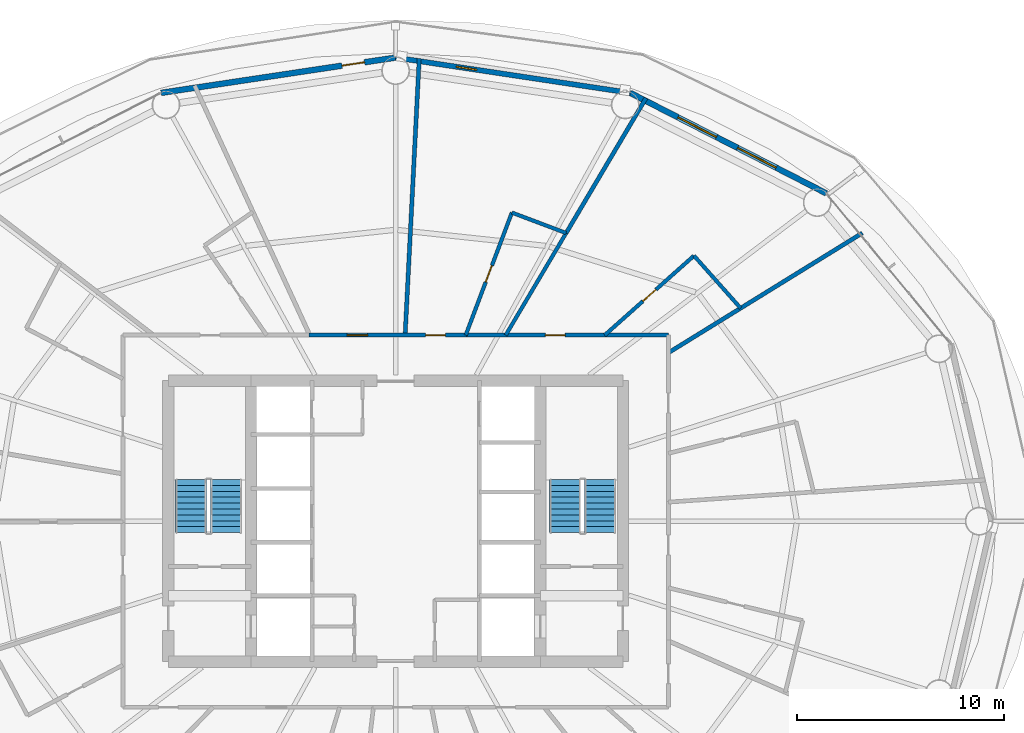
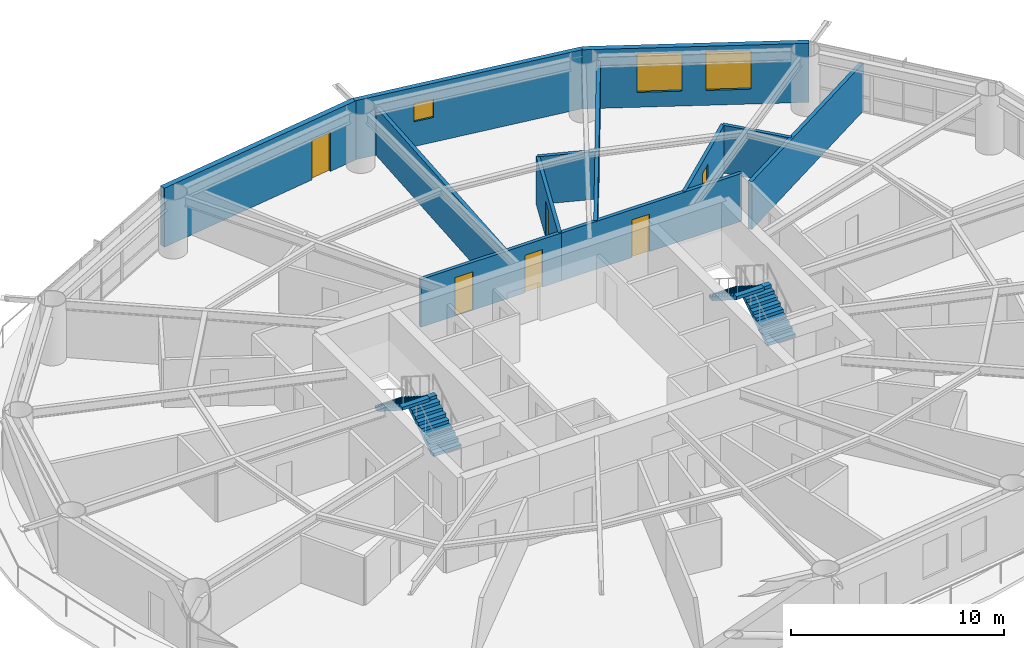
# One storey, part 21 of 24: 13 walls, 6 doors, 4 stair flights, 3 windows, 9 openings, 2 elements without a shape of their own.
"""IFC4 building model written with IfcOpenShell, lengths in metres."""

from ifc_helpers import new_model, si_unit, direction, frame, frame_2d, origin, place, context, subcontext, project, spatial, polyline, rectangle, outline, extrude, material, layer, layer_set, type_object, element, fill, aggregate, save


model = new_model("IFC4")

# Units and contexts
model_context = context("Model", 3, precision=1e-05, world=origin(), true_north=direction((0.0, 1.0)))
body_context = subcontext(model_context, "Body", "Model", "MODEL_VIEW")
ifc_project = project(units=[si_unit("LENGTHUNIT", "METRE"), si_unit("AREAUNIT", "SQUARE_METRE"), si_unit("VOLUMEUNIT", "CUBIC_METRE"), si_unit("PLANEANGLEUNIT", "RADIAN"), si_unit("MASSUNIT", "GRAM", prefix="KILO")], contexts=[model_context])

# Site, building, storey
site_placement = place(None, origin())
site = spatial("IfcSite", under=ifc_project, at=site_placement, CompositionType="ELEMENT")
building_placement = place(site_placement, origin())
building = spatial("IfcBuilding", under=site, at=building_placement, Name="Sarneth Arch Tower", CompositionType="ELEMENT")
storey_placement = place(building_placement, frame((0.0, 0.0, 87.60009765625)))
storey = spatial("IfcBuildingStorey", under=building, at=storey_placement, Name="L21", CompositionType="ELEMENT", Elevation=87.60009765625)

# Wall, opening, door
ifc_material_1 = material(Name="Double steel-stud corridor fire wall", Category="steel")
ifc_layer_1 = layer(ifc_material_1, 0.18994140625)
ifc_layer_set_1 = layer_set([ifc_layer_1], Name="Double steel-stud corridor fire wall")
wall_type_1 = type_object("IfcWallType", Name="WALL-CORR-190", PredefinedType="PARTITIONING", material=ifc_layer_set_1)
wall_1_placement = place(storey_placement, frame((51.35693359375, 51.0, 0.0), z_axis=(0.0, 0.0, 1.0), x_axis=(1.0, 0.0, 0.0)))
wall_1 = element("IfcWall", 1, at=wall_1_placement, inside=storey, type_object=wall_type_1, Name="L21 Interior partition W-L21-TP-003", PredefinedType="PARTITIONING", context=body_context, shape_type="SweptSolid", body=[
    extrude(rectangle(XDim=9.843017578125, YDim=0.18994140625, at=frame_2d((4.92138671875, 0.0))), origin(), (0.0, 0.0, 1.0), 2.739990234375),
])
opening_1_placement = place(wall_1_placement, frame((3.893798828125, 0.0, 0.0)))
opening_1 = element("IfcOpeningElement", 2, at=opening_1_placement, cuts=wall_1, Name="Opening FD-09", PredefinedType="OPENING", context=body_context, shape_type="SweptSolid", body=[
    extrude(rectangle(XDim=0.949951171875, YDim=2.14990234375, at=frame_2d((0.47509765625, 1.074951171875))), frame((0.0, 0.10498046875, 0.0), z_axis=(0.0, -1.0, 0.0), x_axis=(1.0, 0.0, 0.0)), (0.0, 0.0, 1.0), 0.2099609375),
])
ifc_material_2 = material(Name="Hardwood timber hotel entrance fire door", Category="wood")
door_type_1 = type_object("IfcDoorType", Name="DR-FD60-950", OperationType="SINGLE_SWING_RIGHT", PredefinedType="DOOR", material=ifc_material_2)
door_1_placement = place(opening_1_placement, origin())
door_1 = element("IfcDoor", 3, at=door_1_placement, inside=storey, type_object=door_type_1, Name="L21 Interior door DR-L21-KEY-02", OperationType="SINGLE_SWING_LEFT", OverallHeight=2.14990234375, OverallWidth=0.949951171875, PredefinedType="DOOR", context=body_context, shape_type="SweptSolid", body=[
    extrude(rectangle(XDim=0.949951171875, YDim=2.14990234375, at=frame_2d((0.47509765625, 1.074951171875))), frame((0.0, 0.02490234375, 0.0), z_axis=(0.0, -1.0, 0.0), x_axis=(1.0, 0.0, 0.0)), (0.0, 0.0, 1.0), 0.050048828125),
])
fill(opening_1, door_1)

# Wall, openings, doors
wall_2_placement = place(storey_placement, frame((43.81201171875, 51.0, 0.0), z_axis=(0.0, 0.0, 1.0), x_axis=(1.0, 0.0, 0.0)))
wall_2 = element("IfcWall", 4, at=wall_2_placement, inside=storey, type_object=wall_type_1, Name="L21 Interior partition W-L21-TP-008", PredefinedType="PARTITIONING", context=body_context, shape_type="SweptSolid", body=[
    extrude(rectangle(XDim=7.61328125, YDim=0.18994140625, at=frame_2d((3.806640625, 0.0))), origin(), (0.0, 0.0, 1.0), 2.739990234375),
])
opening_2_placement = place(wall_2_placement, frame((1.839599609375, 0.0, 0.0)))
opening_2 = element("IfcOpeningElement", 5, at=opening_2_placement, cuts=wall_2, Name="Opening FD-08", PredefinedType="OPENING", context=body_context, shape_type="SweptSolid", body=[
    extrude(rectangle(XDim=1.0, YDim=2.199951171875, at=frame_2d((0.5, 1.10009765625))), frame((0.0, 0.10498046875, 0.0), z_axis=(0.0, -1.0, 0.0), x_axis=(1.0, 0.0, 0.0)), (0.0, 0.0, 1.0), 0.2099609375),
])
opening_3_placement = place(wall_2_placement, frame((5.639404296875, 0.0, 0.0)))
opening_3 = element("IfcOpeningElement", 6, at=opening_3_placement, cuts=wall_2, Name="Opening FD-09", PredefinedType="OPENING", context=body_context, shape_type="SweptSolid", body=[
    extrude(rectangle(XDim=0.949951171875, YDim=2.14990234375, at=frame_2d((0.47509765625, 1.074951171875))), frame((0.0, 0.10498046875, 0.0), z_axis=(0.0, -1.0, 0.0), x_axis=(1.0, 0.0, 0.0)), (0.0, 0.0, 1.0), 0.2099609375),
])
ifc_material_3 = material(Name="Hardwood timber acoustic fire door", Category="wood")
door_type_2 = type_object("IfcDoorType", Name="DR-FD60-1000", OperationType="SINGLE_SWING_LEFT", PredefinedType="DOOR", material=ifc_material_3)
door_2_placement = place(opening_2_placement, origin())
door_2 = element("IfcDoor", 7, at=door_2_placement, inside=storey, type_object=door_type_2, Name="L21 Interior door DR-L21-AMN-04", OperationType="SINGLE_SWING_RIGHT", OverallHeight=2.199951171875, OverallWidth=1.0, PredefinedType="DOOR", context=body_context, shape_type="SweptSolid", body=[
    extrude(rectangle(XDim=1.0, YDim=2.199951171875, at=frame_2d((0.5, 1.10009765625))), frame((0.0, 0.02490234375, 0.0), z_axis=(0.0, -1.0, 0.0), x_axis=(1.0, 0.0, 0.0)), (0.0, 0.0, 1.0), 0.050048828125),
])
fill(opening_2, door_2)
door_3_placement = place(opening_3_placement, origin())
door_3 = element("IfcDoor", 8, at=door_3_placement, inside=storey, type_object=door_type_1, Name="L21 Interior door DR-L21-KEY-03", OperationType="SINGLE_SWING_RIGHT", OverallHeight=2.14990234375, OverallWidth=0.949951171875, PredefinedType="DOOR", context=body_context, shape_type="SweptSolid", body=[
    extrude(rectangle(XDim=0.949951171875, YDim=2.14990234375, at=frame_2d((0.47509765625, 1.074951171875))), frame((0.0, 0.02490234375, 0.0), z_axis=(0.0, -1.0, 0.0), x_axis=(1.0, 0.0, 0.0)), (0.0, 0.0, 1.0), 0.050048828125),
])
fill(opening_3, door_3)

# Wall, opening, window
ifc_material_4 = material(Name="Extruded terracotta rainscreen on Concrete C40/50 backing", Category="masonry")
ifc_layer_2 = layer(ifc_material_4, 0.25)
ifc_layer_set_2 = layer_set([ifc_layer_2], Name="Extruded terracotta rainscreen on Concrete C40/50 backing")
wall_type_2 = type_object("IfcWallType", Name="WALL-EXT-SPAND-250", PredefinedType="SOLIDWALL", material=ifc_layer_set_2)
wall_3_placement = place(storey_placement, frame((59.351318359375, 62.72265625, 0.0), z_axis=(0.0, 0.0, 1.0), x_axis=(-0.988877774656, 0.148730450117, 0.0)))
wall_3 = element("IfcWall", 9, at=wall_3_placement, inside=storey, type_object=wall_type_2, Name="L21 Terracotta perimeter wall 04", PredefinedType="SOLIDWALL", context=body_context, shape_type="SweptSolid", body=[
    extrude(rectangle(XDim=11.47900390625, YDim=0.25, at=frame_2d((5.739501953125, 0.0))), origin(), (0.0, 0.0, 1.0), 3.3798828125),
])
opening_4_placement = place(wall_3_placement, frame((7.507568359375, 0.0, 1.419921875)))
opening_4 = element("IfcOpeningElement", 10, at=opening_4_placement, cuts=wall_3, Name="Opening W-14", PredefinedType="OPENING", context=body_context, shape_type="SweptSolid", body=[
    extrude(rectangle(XDim=1.0, YDim=1.050048828125, at=frame_2d((0.5, 0.52490234375))), frame((0.0, 0.135009765625, 0.0), z_axis=(0.0, -1.0, 0.0), x_axis=(1.0, 0.0, 0.0)), (0.0, 0.0, 1.0), 0.27001953125),
])
ifc_material_5 = material(Name="Thermally broken Aluminium 6063-T6 and low-e laminated IGU", Category="aluminium")
window_type_1 = type_object("IfcWindowType", Name="WIN-TWR-1000x1050", PartitioningType="SINGLE_PANEL", PredefinedType="WINDOW", material=ifc_material_5)
window_1_placement = place(opening_4_placement, origin())
window_1 = element("IfcWindow", 11, at=window_1_placement, inside=storey, type_object=window_type_1, Name="L21 Dwelling bedroom window 01", OverallHeight=1.050048828125, OverallWidth=1.0, PartitioningType="SINGLE_PANEL", PredefinedType="WINDOW", context=body_context, shape_type="SweptSolid", body=[
    extrude(rectangle(XDim=1.0, YDim=1.050048828125, at=frame_2d((0.5, 0.52490234375))), frame((0.0, 0.030029296875, 0.0), z_axis=(0.0, -1.0, 0.0), x_axis=(1.0, 0.0, 0.0)), (0.0, 0.0, 1.0), 0.06005859375),
])
fill(opening_4, window_1)

# Wall, openings, windows
ifc_material_6 = material(Name="Extruded terracotta rainscreen on Concrete C40/50 backing", Category="masonry")
ifc_layer_3 = layer(ifc_material_6, 0.280029296875)
ifc_layer_set_3 = layer_set([ifc_layer_3], Name="Extruded terracotta rainscreen on Concrete C40/50 backing")
wall_type_3 = type_object("IfcWallType", Name="WALL-EXT-TERRA-280", PredefinedType="SOLIDWALL", material=ifc_layer_set_3)
wall_4_placement = place(storey_placement, frame((68.840087890625, 57.8603515625, 0.0), z_axis=(0.0, 0.0, 1.0), x_axis=(-0.889959505023, 0.45603955905, 0.0)))
wall_4 = element("IfcWall", 12, at=wall_4_placement, inside=storey, type_object=wall_type_3, Name="L21 Terracotta perimeter wall 03", PredefinedType="SOLIDWALL", context=body_context, shape_type="SweptSolid", body=[
    extrude(rectangle(XDim=10.662109375, YDim=0.280029296875, at=frame_2d((5.3310546875, 0.0))), origin(), (0.0, 0.0, 1.0), 3.3798828125),
])
opening_5_placement = place(wall_4_placement, frame((2.730712890625, 0.0, 0.85009765625)))
opening_5 = element("IfcOpeningElement", 13, at=opening_5_placement, cuts=wall_4, Name="Opening W-03", PredefinedType="OPENING", context=body_context, shape_type="SweptSolid", body=[
    extrude(rectangle(XDim=2.10009765625, YDim=2.199951171875, at=frame_2d((1.050048828125, 1.10009765625))), frame((0.0, 0.14990234375, 0.0), z_axis=(0.0, -1.0, 0.0), x_axis=(1.0, 0.0, 0.0)), (0.0, 0.0, 1.0), 0.300048828125),
])
opening_6_placement = place(wall_4_placement, frame((5.970703125, 0.0, 0.85009765625)))
opening_6 = element("IfcOpeningElement", 14, at=opening_6_placement, cuts=wall_4, Name="Opening W-03", PredefinedType="OPENING", context=body_context, shape_type="SweptSolid", body=[
    extrude(rectangle(XDim=2.10009765625, YDim=2.199951171875, at=frame_2d((1.050048828125, 1.10009765625))), frame((0.0, 0.14990234375, 0.0), z_axis=(0.0, -1.0, 0.0), x_axis=(1.0, 0.0, 0.0)), (0.0, 0.0, 1.0), 0.300048828125),
])
ifc_material_7 = material(Name="Thermally broken Aluminium 6063-T6 and low-e laminated IGU", Category="aluminium")
window_type_2 = type_object("IfcWindowType", Name="WIN-TWR-2100x2200", PartitioningType="DOUBLE_PANEL_VERTICAL", PredefinedType="WINDOW", material=ifc_material_7)
window_2_placement = place(opening_5_placement, origin())
window_2 = element("IfcWindow", 15, at=window_2_placement, inside=storey, type_object=window_type_2, Name="L21 Exterior window 03A", OverallHeight=2.199951171875, OverallWidth=2.10009765625, PartitioningType="SINGLE_PANEL", PredefinedType="WINDOW", context=body_context, shape_type="SweptSolid", body=[
    extrude(rectangle(XDim=2.10009765625, YDim=2.199951171875, at=frame_2d((1.050048828125, 1.10009765625))), frame((0.0, 0.030029296875, 0.0), z_axis=(0.0, -1.0, 0.0), x_axis=(1.0, 0.0, 0.0)), (0.0, 0.0, 1.0), 0.06005859375),
])
fill(opening_5, window_2)
window_3_placement = place(opening_6_placement, origin())
window_3 = element("IfcWindow", 16, at=window_3_placement, inside=storey, type_object=window_type_2, Name="L21 Exterior window 03B", OverallHeight=2.199951171875, OverallWidth=2.10009765625, PartitioningType="SINGLE_PANEL", PredefinedType="WINDOW", context=body_context, shape_type="SweptSolid", body=[
    extrude(rectangle(XDim=2.10009765625, YDim=2.199951171875, at=frame_2d((1.050048828125, 1.10009765625))), frame((0.0, 0.030029296875, 0.0), z_axis=(0.0, -1.0, 0.0), x_axis=(1.0, 0.0, 0.0)), (0.0, 0.0, 1.0), 0.06005859375),
])
fill(opening_6, window_3)

# Wall, opening, door
wall_5_placement = place(storey_placement, frame((48.0, 64.429931640625, 0.0), z_axis=(0.0, 0.0, 1.0), x_axis=(-0.988877774656, -0.148730450117, 0.0)))
wall_5 = element("IfcWall", 17, at=wall_5_placement, inside=storey, type_object=wall_type_3, Name="L21 Terracotta perimeter wall 05", PredefinedType="SOLIDWALL", context=body_context, shape_type="SweptSolid", body=[
    extrude(rectangle(XDim=11.47900390625, YDim=0.280029296875, at=frame_2d((5.739501953125, 0.0))), origin(), (0.0, 0.0, 1.0), 3.3798828125),
])
opening_7_placement = place(wall_5_placement, frame((1.523681640625, 0.0, 0.0)))
opening_7 = element("IfcOpeningElement", 18, at=opening_7_placement, cuts=wall_5, Name="Opening BD-3", PredefinedType="OPENING", context=body_context, shape_type="SweptSolid", body=[
    extrude(rectangle(XDim=1.10009765625, YDim=2.25, at=frame_2d((0.550048828125, 1.125))), frame((0.0, 0.14990234375, 0.0), z_axis=(0.0, -1.0, 0.0), x_axis=(1.0, 0.0, 0.0)), (0.0, 0.0, 1.0), 0.300048828125),
])
ifc_material_8 = material(Name="Thermally broken Aluminium 6063-T6 and laminated safety glass", Category="aluminium")
door_type_3 = type_object("IfcDoorType", Name="DR-BALC-GLZ-1100", OperationType="SINGLE_SWING_LEFT", PredefinedType="DOOR", material=ifc_material_8)
door_4_placement = place(opening_7_placement, origin())
door_4 = element("IfcDoor", 19, at=door_4_placement, inside=storey, type_object=door_type_3, Name="L21 Balcony glazed door 05", OperationType="SINGLE_SWING_LEFT", OverallHeight=2.25, OverallWidth=1.10009765625, PredefinedType="DOOR", context=body_context, shape_type="SweptSolid", body=[
    extrude(rectangle(XDim=1.10009765625, YDim=2.25, at=frame_2d((0.550048828125, 1.125))), frame((0.0, 0.02490234375, 0.0), z_axis=(0.0, -1.0, 0.0), x_axis=(1.0, 0.0, 0.0)), (0.0, 0.0, 1.0), 0.050048828125),
])
fill(opening_7, door_4)

ifc_material_9 = material(Name="Moisture-resistant plumbing chase wall", Category="gypsum")
ifc_layer_4 = layer(ifc_material_9, 0.179931640625)
ifc_layer_set_4 = layer_set([ifc_layer_4], Name="Moisture-resistant plumbing chase wall")
wall_type_4 = type_object("IfcWallType", Name="WALL-PLUMB-180", PredefinedType="PLUMBINGWALL", material=ifc_layer_set_4)
wall_6_placement = place(storey_placement, frame((51.39111328125, 51.0, 0.0), z_axis=(0.0, 0.0, 1.0), x_axis=(0.352583810303, 0.935780239539, 0.0)))
wall_6 = element("IfcWall", 20, at=wall_6_placement, inside=storey, type_object=wall_type_4, Name="L21 Interior partition W-L21-TP-039", PredefinedType="PLUMBINGWALL", context=body_context, shape_type="SweptSolid", body=[
    extrude(rectangle(XDim=6.337158203125, YDim=0.179931640625, at=frame_2d((3.16845703125, 0.0))), origin(), (0.0, 0.0, 1.0), 2.739990234375),
])
opening_8_placement = place(wall_6_placement, frame((2.74365234375, 0.0, 0.0)))
opening_8 = element("IfcOpeningElement", 21, at=opening_8_placement, cuts=wall_6, Name="Opening ID-02", PredefinedType="OPENING", context=body_context, shape_type="SweptSolid", body=[
    extrude(rectangle(XDim=0.85009765625, YDim=2.10009765625, at=frame_2d((0.425048828125, 1.050048828125))), frame((0.0, 0.099853515625, 0.0), z_axis=(0.0, -1.0, 0.0), x_axis=(1.0, 0.0, 0.0)), (0.0, 0.0, 1.0), 0.199951171875),
])
ifc_material_10 = material(Name="Moisture-resistant bathroom timber door", Category="wood")
door_type_4 = type_object("IfcDoorType", Name="DR-INT-850", OperationType="SINGLE_SWING_RIGHT", PredefinedType="DOOR", material=ifc_material_10)
door_5_placement = place(opening_8_placement, origin())
door_5 = element("IfcDoor", 22, at=door_5_placement, inside=storey, type_object=door_type_4, Name="L21 Interior door DR-L21-ENS-03", OperationType="SINGLE_SWING_LEFT", OverallHeight=2.10009765625, OverallWidth=0.85009765625, PredefinedType="DOOR", context=body_context, shape_type="SweptSolid", body=[
    extrude(rectangle(XDim=0.85009765625, YDim=2.10009765625, at=frame_2d((0.425048828125, 1.050048828125))), frame((0.0, 0.02490234375, 0.0), z_axis=(0.0, -1.0, 0.0), x_axis=(1.0, 0.0, 0.0)), (0.0, 0.0, 1.0), 0.050048828125),
])
fill(opening_8, door_5)

wall_7_placement = place(storey_placement, frame((62.435791015625, 54.844482421875, 0.0), z_axis=(0.0, 0.0, 1.0), x_axis=(-0.747085499985, -0.664727956168, 0.0)))
wall_7 = element("IfcWall", 23, at=wall_7_placement, inside=storey, type_object=wall_type_4, Name="L21 Interior partition W-L21-TP-036", PredefinedType="PLUMBINGWALL", context=body_context, shape_type="SweptSolid", body=[
    extrude(rectangle(XDim=5.783447265625, YDim=0.179931640625, at=frame_2d((2.8916015625, 0.0))), origin(), (0.0, 0.0, 1.0), 2.739990234375),
])
opening_9_placement = place(wall_7_placement, frame((2.466796875, 0.0, 0.0)))
opening_9 = element("IfcOpeningElement", 24, at=opening_9_placement, cuts=wall_7, Name="Opening ID-02", PredefinedType="OPENING", context=body_context, shape_type="SweptSolid", body=[
    extrude(rectangle(XDim=0.85009765625, YDim=2.10009765625, at=frame_2d((0.425048828125, 1.050048828125))), frame((0.0, 0.099853515625, 0.0), z_axis=(0.0, -1.0, 0.0), x_axis=(1.0, 0.0, 0.0)), (0.0, 0.0, 1.0), 0.199951171875),
])
door_6_placement = place(opening_9_placement, origin())
door_6 = element("IfcDoor", 25, at=door_6_placement, inside=storey, type_object=door_type_4, Name="L21 Interior door DR-L21-ENS-02", OperationType="SINGLE_SWING_LEFT", OverallHeight=2.10009765625, OverallWidth=0.85009765625, PredefinedType="DOOR", context=body_context, shape_type="SweptSolid", body=[
    extrude(rectangle(XDim=0.85009765625, YDim=2.10009765625, at=frame_2d((0.425048828125, 1.050048828125))), frame((0.0, 0.02490234375, 0.0), z_axis=(0.0, -1.0, 0.0), x_axis=(1.0, 0.0, 0.0)), (0.0, 0.0, 1.0), 0.050048828125),
])
fill(opening_9, door_6)

# Walls
wall_8_placement = place(storey_placement, frame((56.25, 55.94140625, 0.0), z_axis=(0.0, 0.0, 1.0), x_axis=(-0.509296473297, -0.860591135376, 0.0)))
element("IfcWall", 26, at=wall_8_placement, inside=storey, type_object=wall_type_4, Name="L21 Interior partition W-L21-TP-038", PredefinedType="PLUMBINGWALL", context=body_context, shape_type="SweptSolid", body=[
    extrude(rectangle(XDim=5.741943359375, YDim=0.179931640625, at=frame_2d((2.87109375, 0.0))), origin(), (0.0, 0.0, 1.0), 2.739990234375),
])
wall_9_placement = place(storey_placement, frame((64.693603515625, 52.306884765625, 0.0), z_axis=(0.0, 0.0, 1.0), x_axis=(-0.664720670732, 0.747091982222, 0.0)))
element("IfcWall", 27, at=wall_9_placement, inside=storey, type_object=wall_type_4, Name="L21 Interior partition W-L21-TP-035", PredefinedType="PLUMBINGWALL", context=body_context, shape_type="SweptSolid", body=[
    extrude(rectangle(XDim=3.396728515625, YDim=0.179931640625, at=frame_2d((1.6982421875, 0.0))), origin(), (0.0, 0.0, 1.0), 2.739990234375),
])
wall_10_placement = place(storey_placement, frame((53.62548828125, 56.93017578125, 0.0), z_axis=(0.0, 0.0, 1.0), x_axis=(0.93579147225, -0.352553996522, 0.0)))
element("IfcWall", 28, at=wall_10_placement, inside=storey, type_object=wall_type_4, Name="L21 Interior partition W-L21-TP-040", PredefinedType="PLUMBINGWALL", context=body_context, shape_type="SweptSolid", body=[
    extrude(rectangle(XDim=2.8046875, YDim=0.179931640625, at=frame_2d((1.40234375, 0.0))), origin(), (0.0, 0.0, 1.0), 2.739990234375),
])
ifc_material_11 = material(Name="Double steel-stud acoustic drywall", Category="steel")
ifc_layer_5 = layer(ifc_material_11, 0.199951171875)
ifc_layer_set_5 = layer_set([ifc_layer_5], Name="Double steel-stud acoustic drywall")
wall_type_5 = type_object("IfcWallType", Name="WALL-UNIT-200", PredefinedType="PARTITIONING", material=ifc_layer_set_5)
wall_11_placement = place(storey_placement, frame((49.142578125, 64.37890625, 0.0), z_axis=(0.0, 0.0, 1.0), x_axis=(-0.050973793346, -0.998699991185, 0.0)))
element("IfcWall", 29, at=wall_11_placement, inside=storey, type_object=wall_type_5, Name="L21 Interior partition W-L21-TP-041", PredefinedType="PARTITIONING", context=body_context, shape_type="SweptSolid", body=[
    extrude(rectangle(XDim=13.396240234375, YDim=0.199951171875, at=frame_2d((6.6982421875, 0.0))), origin(), (0.0, 0.0, 1.0), 2.739990234375),
])
wall_12_placement = place(storey_placement, frame((60.11181640625, 62.467529296875, 0.0), z_axis=(0.0, 0.0, 1.0), x_axis=(-0.509263960295, -0.860610375689, 0.0)))
element("IfcWall", 30, at=wall_12_placement, inside=storey, type_object=wall_type_5, Name="L21 Interior partition W-L21-TP-037", PredefinedType="PARTITIONING", context=body_context, shape_type="SweptSolid", body=[
    extrude(rectangle(XDim=7.583251953125, YDim=0.199951171875, at=frame_2d((3.79150390625, 0.0))), origin(), (0.0, 0.0, 1.0), 2.739990234375),
])
wall_13_placement = place(storey_placement, frame((61.199951171875, 50.14990234375, 0.0), z_axis=(0.0, 0.0, 1.0), x_axis=(0.850874276333, 0.525369361377, 0.0)))
element("IfcWall", 31, at=wall_13_placement, inside=storey, type_object=wall_type_5, Name="L21 Interior partition W-L21-TP-031", PredefinedType="PARTITIONING", context=body_context, shape_type="SweptSolid", body=[
    extrude(rectangle(XDim=11.025634765625, YDim=0.199951171875, at=frame_2d((5.5126953125, 0.0))), origin(), (0.0, 0.0, 1.0), 2.739990234375),
])

# Stair, stair flights
ifc_material_12 = material(Name="Concrete C50/60", Category="concrete")
stair_type = type_object("IfcStairType", Name="STAIR-CORE-RC", PredefinedType="HALF_TURN_STAIR", material=ifc_material_12)
stair_1_placement = place(storey_placement, origin())
stair_1 = element("IfcStair", 32, at=stair_1_placement, inside=storey, type_object=stair_type, Name="L21 Core Exit Stair 1", PredefinedType="HALF_TURN_STAIR")
ifc_material_13 = material(Name="Concrete C50/60", Category="concrete")
stair_flight_type = type_object("IfcStairFlightType", Name="FLIGHT-RC-1500", PredefinedType="STRAIGHT", material=ifc_material_13)
stair_flight_1_placement = place(storey_placement, frame((39.800048828125, 41.449951171875, 0.0), z_axis=(0.0, 0.0, 1.0), x_axis=(0.0, 1.0, 0.0)))
stair_flight_1 = element("IfcStairFlight", 33, at=stair_flight_1_placement, type_object=stair_flight_type, Name="ST-1 flight 1", NumberOfRisers=10, NumberOfTreads=9, PredefinedType="STRAIGHT", RiserHeight=0.18, TreadLength=0.285, context=body_context, shape_type="SweptSolid", body=[
    extrude(outline(polyline([(0.0, 0.0), (0.0, 0.179931640625), (0.284912109375, 0.179931640625), (0.284912109375, 0.360107421875), (0.570068359375, 0.360107421875), (0.570068359375, 0.5400390625), (0.85498046875, 0.5400390625), (0.85498046875, 0.719970703125), (1.139892578125, 0.719970703125), (1.139892578125, 0.89990234375), (1.425048828125, 0.89990234375), (1.425048828125, 1.080078125), (1.7099609375, 1.080078125), (1.7099609375, 1.260009765625), (1.9951171875, 1.260009765625), (1.9951171875, 1.43994140625), (2.280029296875, 1.43994140625), (2.280029296875, 1.6201171875), (2.56494140625, 1.6201171875), (2.56494140625, 1.800048828125), (2.56494140625, 1.442626953125), (0.28076171875, 0.0), (0.0, 0.0)])), frame((0.0, 0.75, 0.0), z_axis=(0.0, -1.0, 0.0), x_axis=(1.0, 0.0, 0.0)), (0.0, 0.0, 1.0), 1.5),
])
stair_flight_2_placement = place(storey_placement, frame((38.10009765625, 44.014892578125, 1.7998046875), z_axis=(0.0, 0.0, 1.0), x_axis=(0.0, -1.0, 0.0)))
stair_flight_2 = element("IfcStairFlight", 34, at=stair_flight_2_placement, type_object=stair_flight_type, Name="ST-1 flight 2", NumberOfRisers=10, NumberOfTreads=9, PredefinedType="STRAIGHT", RiserHeight=0.18, TreadLength=0.285, context=body_context, shape_type="SweptSolid", body=[
    extrude(outline(polyline([(0.0, 0.0), (0.0, 0.179931640625), (0.284912109375, 0.179931640625), (0.284912109375, 0.360107421875), (0.570068359375, 0.360107421875), (0.570068359375, 0.5400390625), (0.85498046875, 0.5400390625), (0.85498046875, 0.719970703125), (1.139892578125, 0.719970703125), (1.139892578125, 0.89990234375), (1.425048828125, 0.89990234375), (1.425048828125, 1.080078125), (1.7099609375, 1.080078125), (1.7099609375, 1.260009765625), (1.9951171875, 1.260009765625), (1.9951171875, 1.43994140625), (2.280029296875, 1.43994140625), (2.280029296875, 1.6201171875), (2.56494140625, 1.6201171875), (2.56494140625, 1.800048828125), (2.56494140625, 1.442626953125), (0.28076171875, 0.0), (0.0, 0.0)])), frame((0.0, 0.75, 0.0), z_axis=(0.0, -1.0, 0.0), x_axis=(1.0, 0.0, 0.0)), (0.0, 0.0, 1.0), 1.5),
])
aggregate(stair_1, [stair_flight_1, stair_flight_2])

stair_2_placement = place(storey_placement, origin())
stair_2 = element("IfcStair", 35, at=stair_2_placement, inside=storey, type_object=stair_type, Name="L21 Core Exit Stair 2", PredefinedType="HALF_TURN_STAIR")
stair_flight_3_placement = place(storey_placement, frame((57.89990234375, 41.449951171875, 0.0), z_axis=(0.0, 0.0, 1.0), x_axis=(0.0, 1.0, 0.0)))
stair_flight_3 = element("IfcStairFlight", 36, at=stair_flight_3_placement, type_object=stair_flight_type, Name="ST-2 flight 1", NumberOfRisers=10, NumberOfTreads=9, PredefinedType="STRAIGHT", RiserHeight=0.18, TreadLength=0.285, context=body_context, shape_type="SweptSolid", body=[
    extrude(outline(polyline([(0.0, 0.0), (0.0, 0.179931640625), (0.284912109375, 0.179931640625), (0.284912109375, 0.360107421875), (0.570068359375, 0.360107421875), (0.570068359375, 0.5400390625), (0.85498046875, 0.5400390625), (0.85498046875, 0.719970703125), (1.139892578125, 0.719970703125), (1.139892578125, 0.89990234375), (1.425048828125, 0.89990234375), (1.425048828125, 1.080078125), (1.7099609375, 1.080078125), (1.7099609375, 1.260009765625), (1.9951171875, 1.260009765625), (1.9951171875, 1.43994140625), (2.280029296875, 1.43994140625), (2.280029296875, 1.6201171875), (2.56494140625, 1.6201171875), (2.56494140625, 1.800048828125), (2.56494140625, 1.442626953125), (0.28076171875, 0.0), (0.0, 0.0)])), frame((0.0, 0.75, 0.0), z_axis=(0.0, -1.0, 0.0), x_axis=(1.0, 0.0, 0.0)), (0.0, 0.0, 1.0), 1.5),
])
stair_flight_4_placement = place(storey_placement, frame((56.199951171875, 44.014892578125, 1.7998046875), z_axis=(0.0, 0.0, 1.0), x_axis=(0.0, -1.0, 0.0)))
stair_flight_4 = element("IfcStairFlight", 37, at=stair_flight_4_placement, type_object=stair_flight_type, Name="ST-2 flight 2", NumberOfRisers=10, NumberOfTreads=9, PredefinedType="STRAIGHT", RiserHeight=0.18, TreadLength=0.285, context=body_context, shape_type="SweptSolid", body=[
    extrude(outline(polyline([(0.0, 0.0), (0.0, 0.179931640625), (0.284912109375, 0.179931640625), (0.284912109375, 0.360107421875), (0.570068359375, 0.360107421875), (0.570068359375, 0.5400390625), (0.85498046875, 0.5400390625), (0.85498046875, 0.719970703125), (1.139892578125, 0.719970703125), (1.139892578125, 0.89990234375), (1.425048828125, 0.89990234375), (1.425048828125, 1.080078125), (1.7099609375, 1.080078125), (1.7099609375, 1.260009765625), (1.9951171875, 1.260009765625), (1.9951171875, 1.43994140625), (2.280029296875, 1.43994140625), (2.280029296875, 1.6201171875), (2.56494140625, 1.6201171875), (2.56494140625, 1.800048828125), (2.56494140625, 1.442626953125), (0.28076171875, 0.0), (0.0, 0.0)])), frame((0.0, 0.75, 0.0), z_axis=(0.0, -1.0, 0.0), x_axis=(1.0, 0.0, 0.0)), (0.0, 0.0, 1.0), 1.5),
])
aggregate(stair_2, [stair_flight_3, stair_flight_4])

save(model, "model.ifc")
